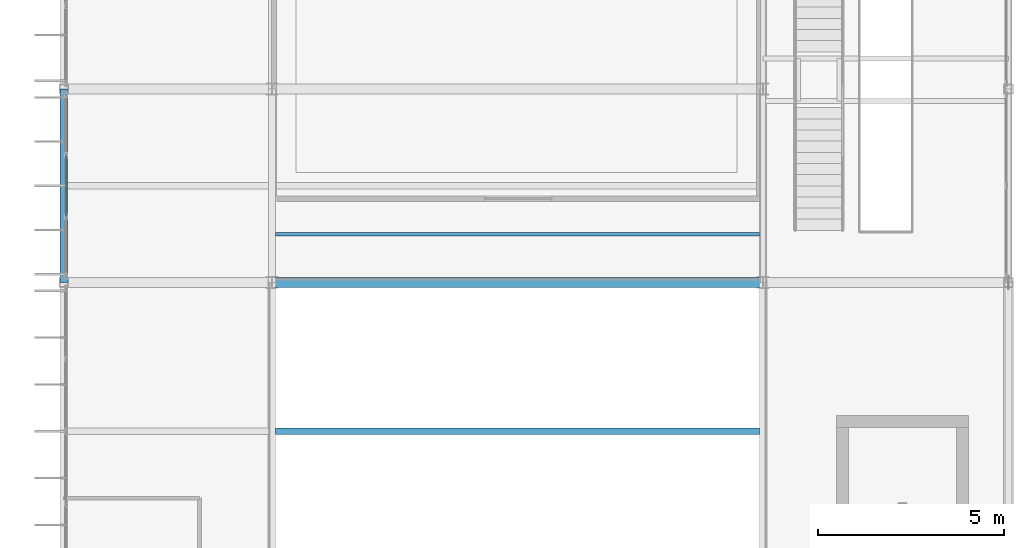
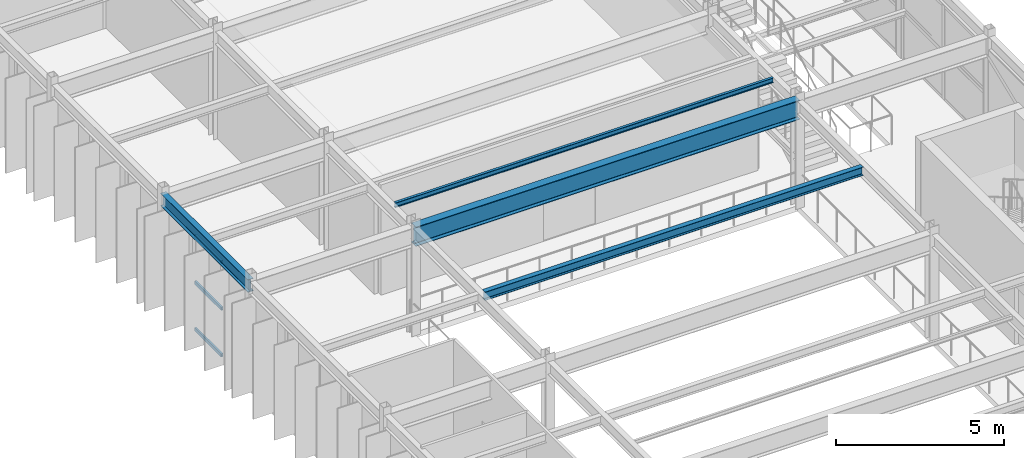
# One storey, part 37 of 148: 4 beams, 3 members, 1 element without a shape of its own.
"""IFC4 building model written with IfcOpenShell, lengths in metres."""

from ifc_helpers import new_model, si_unit, direction, frame, origin, origin_2d, place, context, subcontext, project, spatial, hollow_rectangle, i_section, extrude, material, material_profile, profile_set, type_object, element, aggregate, save


model = new_model("IFC4")

# Units and contexts
model_context = context("Model", 3, precision=1e-05, world=origin(), true_north=direction((0.0, 1.0)))
body_context = subcontext(model_context, "Body", "Model", "MODEL_VIEW")
ifc_project = project(units=[si_unit("LENGTHUNIT", "METRE"), si_unit("AREAUNIT", "SQUARE_METRE"), si_unit("VOLUMEUNIT", "CUBIC_METRE"), si_unit("PLANEANGLEUNIT", "RADIAN"), si_unit("MASSUNIT", "GRAM", prefix="KILO")], contexts=[model_context])

# Site, building, storey
site_placement = place(None, origin())
site = spatial("IfcSite", under=ifc_project, at=site_placement, CompositionType="ELEMENT")
building_placement = place(site_placement, origin())
building = spatial("IfcBuilding", under=site, at=building_placement, Name="Karori Crest Natural Sciences Institute", CompositionType="ELEMENT")
storey_placement = place(building_placement, frame((0.0, 0.0, 4.89990234375)))
storey = spatial("IfcBuildingStorey", under=building, at=storey_placement, Name="L01", CompositionType="ELEMENT", Elevation=4.89990234375)

# Beams
ifc_material_1 = material(Name="Structural steel AS/NZS 3679.1 Grade 350", Category="steel")
ifc_material_profile_1 = material_profile(ifc_material_1, i_section(OverallWidth=0.27490234375, OverallDepth=0.699951171875, WebThickness=0.010009765625, FlangeThickness=0.02001953125, FilletRadius=0.013916015625, at=origin_2d()), Name="700WB150")
ifc_profile_set_1 = profile_set([ifc_material_profile_1], Name="Structural steel AS/NZS 3679.1 Grade 350")
beam_type_1 = type_object("IfcBeamType", Name="BT-03", PredefinedType="BEAM", material=ifc_profile_set_1)
beam_1_placement = place(storey_placement, frame((7.39990234375, 55.0, 3.570068359375), z_axis=(1.0, 0.0, 0.0), x_axis=(0.0, 1.0, 0.0)))
element("IfcBeam", 1, at=beam_1_placement, inside=storey, type_object=beam_type_1, Name="Beam B-1018", PredefinedType="BEAM", context=body_context, shape_type="SweptSolid", body=[
    extrude(i_section(OverallWidth=0.27490234375, OverallDepth=0.699951171875, WebThickness=0.010009765625, FlangeThickness=0.02001953125, FilletRadius=0.013916015625, at=origin_2d()), origin(), (0.0, 0.0, 1.0), 13.2001953125),
])
ifc_material_profile_2 = material_profile(ifc_material_1, i_section(OverallWidth=0.19091796875, OverallDepth=0.4599609375, WebThickness=0.010009765625, FlangeThickness=0.01611328125, FilletRadius=0.010986328125, at=origin_2d()), Name="460UB82.1")
ifc_profile_set_2 = profile_set([ifc_material_profile_2], Name="Structural steel AS/NZS 3679.1 Grade 350")
beam_type_2 = type_object("IfcBeamType", Name="BT-06-EL", PredefinedType="BEAM", material=ifc_profile_set_2)
beam_2_placement = place(storey_placement, frame((1.800048828125, 55.0, 3.690185546875), z_axis=(0.0, 1.0, 0.0), x_axis=(-1.0, 0.0, 0.0)))
element("IfcBeam", 2, at=beam_2_placement, inside=storey, type_object=beam_type_2, Name="Beam B-1032", PredefinedType="BEAM", context=body_context, shape_type="SweptSolid", body=[
    extrude(i_section(OverallWidth=0.19091796875, OverallDepth=0.4599609375, WebThickness=0.010009765625, FlangeThickness=0.01611328125, FilletRadius=0.010986328125, at=origin_2d()), origin(), (0.0, 0.0, 1.0), 5.199951171875),
])
ifc_material_profile_3 = material_profile(ifc_material_1, i_section(OverallWidth=0.166015625, OverallDepth=0.306884765625, WebThickness=0.006591796875, FlangeThickness=0.01171875, FilletRadius=0.010986328125, at=origin_2d()), Name="310UB46.2")
ifc_profile_set_3 = profile_set([ifc_material_profile_3], Name="Structural steel AS/NZS 3679.1 Grade 350")
beam_type_3 = type_object("IfcBeamType", Name="BT-09", PredefinedType="BEAM", material=ifc_profile_set_3)
beam_3_placement = place(storey_placement, frame((7.49560546875, 51.0, 3.7666015625), z_axis=(1.0, 0.0, 0.0), x_axis=(0.0, 1.0, 0.0)))
element("IfcBeam", 3, at=beam_3_placement, inside=storey, type_object=beam_type_3, Name="Beam B-1066", PredefinedType="BEAM", context=body_context, shape_type="SweptSolid", body=[
    extrude(i_section(OverallWidth=0.166015625, OverallDepth=0.306884765625, WebThickness=0.006591796875, FlangeThickness=0.01171875, FilletRadius=0.010986328125, at=origin_2d()), origin(), (0.0, 0.0, 1.0), 13.0087890625),
])
ifc_material_profile_4 = material_profile(ifc_material_1, i_section(OverallWidth=0.090087890625, OverallDepth=0.175048828125, WebThickness=0.0048828125, FlangeThickness=0.008056640625, FilletRadius=0.009033203125, at=origin_2d()), Name="180UB18.1")
ifc_profile_set_4 = profile_set([ifc_material_profile_4], Name="Structural steel AS/NZS 3679.1 Grade 350")
beam_type_4 = type_object("IfcBeamType", Name="BT-31", PredefinedType="LINTEL", material=ifc_profile_set_4)
beam_4_placement = place(storey_placement, frame((7.49560546875, 56.300048828125, 3.83251953125), z_axis=(1.0, 0.0, 0.0), x_axis=(0.0, 1.0, 0.0)))
element("IfcBeam", 4, at=beam_4_placement, inside=storey, type_object=beam_type_4, Name="Beam B-1068", PredefinedType="LINTEL", context=body_context, shape_type="SweptSolid", body=[
    extrude(i_section(OverallWidth=0.090087890625, OverallDepth=0.175048828125, WebThickness=0.0048828125, FlangeThickness=0.008056640625, FilletRadius=0.009033203125, at=origin_2d()), origin(), (0.0, 0.0, 1.0), 13.0087890625),
])

# Curtain wall, members
ifc_material_2 = material(Name="Anodised architectural aluminium 6063-T6", Category="aluminium")
curtain_wall_type = type_object("IfcCurtainWallType", Name="CWT-17", PredefinedType="NOTDEFINED", material=ifc_material_2)
curtain_wall_placement = place(storey_placement, origin())
curtain_wall = element("IfcCurtainWall", 5, at=curtain_wall_placement, inside=storey, type_object=curtain_wall_type, Name="Curtain wall CW-0264", PredefinedType="NOTDEFINED")
ifc_material_profile_5 = material_profile(ifc_material_2, hollow_rectangle(XDim=0.06005859375, YDim=0.1201171875, WallThickness=0.00390625, at=origin_2d()), Name="CWT120x60x4")
ifc_profile_set_5 = profile_set([ifc_material_profile_5], Name="Anodised architectural aluminium 6063-T6")
member_type = type_object("IfcMemberType", Name="CWT-TR1", PredefinedType="USERDEFINED", material=ifc_profile_set_5)
member_1_placement = place(storey_placement, frame((1.860107421875, 56.806884765625, 0.030029296875), z_axis=(0.0, 1.0, 0.0), x_axis=(-1.0, 0.0, 0.0)))
member_1 = element("IfcMember", 6, at=member_1_placement, type_object=member_type, Name="CW-0264 transom 2.1", ObjectType="TRANSOM", PredefinedType="USERDEFINED", context=body_context, shape_type="SweptSolid", body=[
    extrude(hollow_rectangle(XDim=0.06005859375, YDim=0.1201171875, WallThickness=0.00390625, at=origin_2d()), origin(), (0.0, 0.0, 1.0), 1.586181640625),
])
member_2_placement = place(storey_placement, frame((1.860107421875, 56.806884765625, 1.72265625), z_axis=(0.0, 1.0, 0.0), x_axis=(-1.0, 0.0, 0.0)))
member_2 = element("IfcMember", 7, at=member_2_placement, type_object=member_type, Name="CW-0264 transom 2.2", ObjectType="TRANSOM", PredefinedType="USERDEFINED", context=body_context, shape_type="SweptSolid", body=[
    extrude(hollow_rectangle(XDim=0.06005859375, YDim=0.1201171875, WallThickness=0.00390625, at=origin_2d()), origin(), (0.0, 0.0, 1.0), 1.586181640625),
])
member_3_placement = place(storey_placement, frame((1.860107421875, 56.806884765625, 3.4150390625), z_axis=(0.0, 1.0, 0.0), x_axis=(-1.0, 0.0, 0.0)))
member_3 = element("IfcMember", 8, at=member_3_placement, type_object=member_type, Name="CW-0264 transom 2.3", ObjectType="TRANSOM", PredefinedType="USERDEFINED", context=body_context, shape_type="SweptSolid", body=[
    extrude(hollow_rectangle(XDim=0.06005859375, YDim=0.1201171875, WallThickness=0.00390625, at=origin_2d()), origin(), (0.0, 0.0, 1.0), 1.586181640625),
])
aggregate(curtain_wall, [member_1, member_2, member_3])

save(model, "model.ifc")
